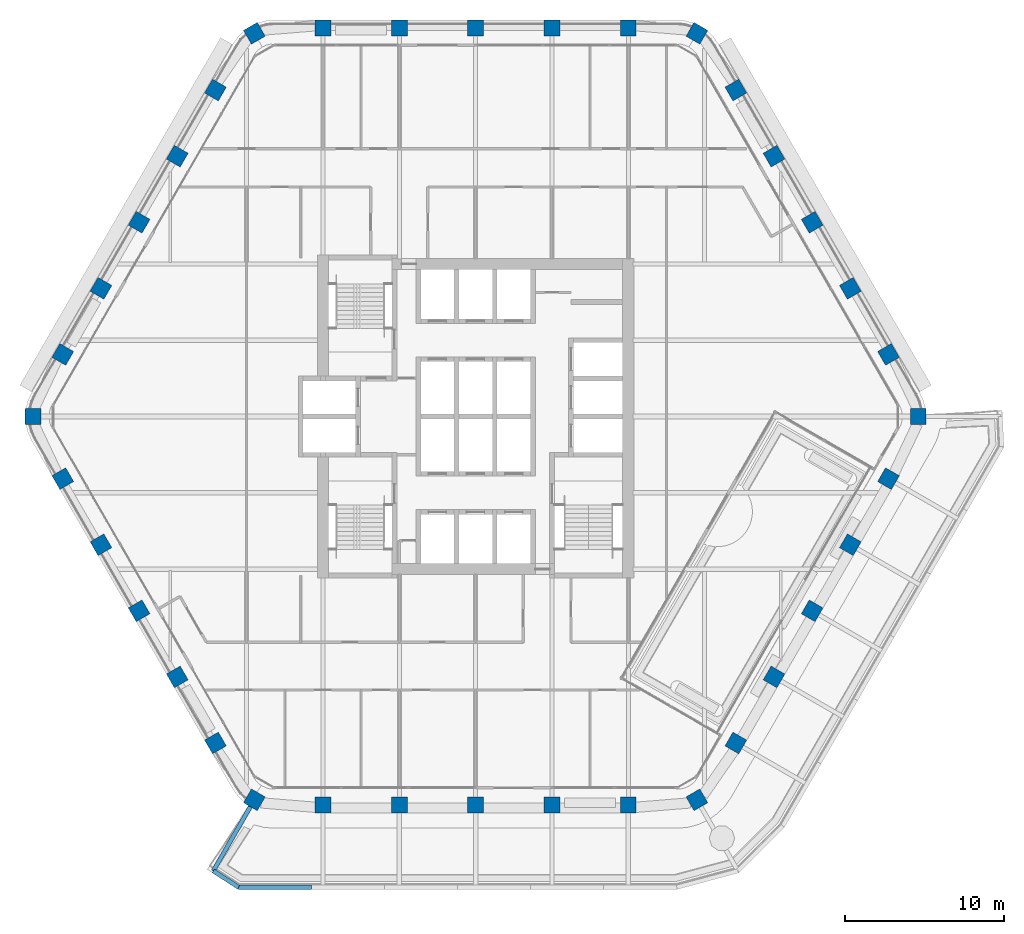
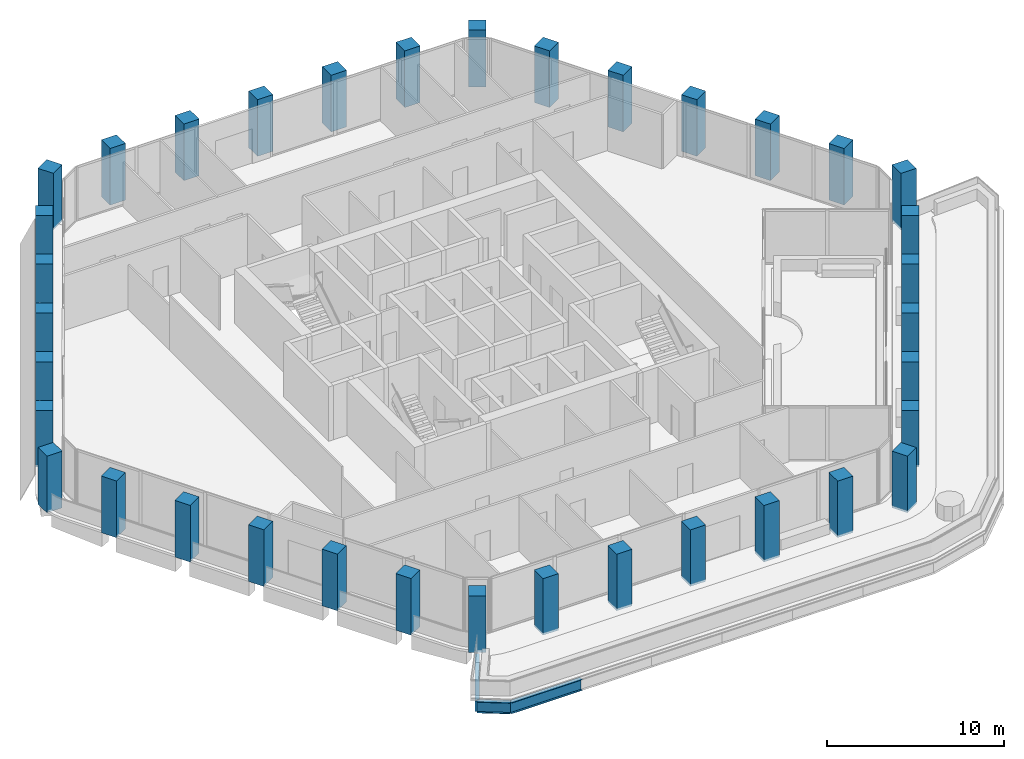
# One storey, part 1 of 17: 36 columns, 3 beams.
"""IFC4 building model written with IfcOpenShell, lengths in metres."""

from ifc_helpers import new_model, si_unit, direction, frame, origin, origin_2d, place, context, subcontext, project, spatial, rectangle, i_section, extrude, material, material_profile, profile_set, type_object, element, save


model = new_model("IFC4")

# Units and contexts
model_context = context("Model", 3, precision=1e-05, world=origin(), true_north=direction((0.0, 1.0)))
body_context = subcontext(model_context, "Body", "Model", "MODEL_VIEW")
ifc_project = project(units=[si_unit("LENGTHUNIT", "METRE"), si_unit("AREAUNIT", "SQUARE_METRE"), si_unit("VOLUMEUNIT", "CUBIC_METRE"), si_unit("PLANEANGLEUNIT", "RADIAN"), si_unit("MASSUNIT", "GRAM", prefix="KILO")], contexts=[model_context])

# Site, building, storey
site_placement = place(None, origin())
site = spatial("IfcSite", under=ifc_project, at=site_placement, CompositionType="ELEMENT")
building_placement = place(site_placement, origin())
building = spatial("IfcBuilding", under=site, at=building_placement, Name="Kolab Exchange Tower", CompositionType="ELEMENT")
storey_placement = place(building_placement, frame((0.0, 0.0, 197.300048828125)))
storey = spatial("IfcBuildingStorey", under=building, at=storey_placement, Name="L42", CompositionType="ELEMENT", Elevation=197.300048828125)

# Columns
ifc_material_1 = material(Name="Concrete C60/75", Category="concrete")
ifc_material_profile_1 = material_profile(ifc_material_1, rectangle(XDim=1.0, YDim=1.0, at=origin_2d()), Name="RC1000")
ifc_profile_set_1 = profile_set([ifc_material_profile_1], Name="Concrete C60/75")
column_type = type_object("IfcColumnType", Name="PERIMETER COLUMN 1000 SQ C60/75", PredefinedType="COLUMN", material=ifc_profile_set_1)
for number, where, z_axis, x_axis, name in (
    (1, (-13.91796875, 24.106689453125, -0.150146484375), (0.0, 0.0, 1.0), (0.866025403784, 0.5, 0.0), "col/L42/F1-01"),
    (2, (-9.60009765625, 24.441650390625, -0.150146484375), (0.0, 0.0, 1.0), (1.0, 0.0, 0.0), "col/L42/F1-02"),
    (3, (-4.800048828125, 24.441650390625, -0.150146484375), (0.0, 0.0, 1.0), (1.0, 0.0, 0.0), "col/L42/F1-03"),
    (4, (0.0, 24.441650390625, -0.150146484375), (0.0, 0.0, 1.0), (1.0, 0.0, 0.0), "col/L42/F1-04"),
    (5, (4.800048828125, 24.441650390625, -0.150146484375), (0.0, 0.0, 1.0), (1.0, 0.0, 0.0), "col/L42/F1-05"),
    (6, (9.60009765625, 24.441650390625, -0.150146484375), (0.0, 0.0, 1.0), (1.0, 0.0, 0.0), "col/L42/F1-06"),
    (7, (13.91796875, 24.106689453125, -0.150146484375), (0.0, 0.0, 1.0), (0.5, 0.866025403784, 0.0), "col/L42/F2-01"),
    (8, (16.366943359375, 20.53466796875, -0.150146484375), (0.0, 0.0, 1.0), (0.866025403784, 0.5, 0.0), "col/L42/F2-02"),
    (9, (18.76708984375, 16.377685546875, -0.150146484375), (0.0, 0.0, 1.0), (0.866025403784, 0.5, 0.0), "col/L42/F2-03"),
    (10, (21.1669921875, 12.220703125, -0.150146484375), (0.0, 0.0, 1.0), (0.866025403784, 0.5, 0.0), "col/L42/F2-04"),
    (11, (23.56689453125, 8.06396484375, -0.150146484375), (0.0, 0.0, 1.0), (0.866025403784, 0.5, 0.0), "col/L42/F2-05"),
    (12, (25.967041015625, 3.906982421875, -0.150146484375), (0.0, 0.0, 1.0), (0.866025403784, 0.5, 0.0), "col/L42/F2-06"),
    (13, (27.8359375, 0.0, -0.150146484375), (0.0, 0.0, 1.0), (1.0, 0.0, 0.0), "col/L42/F3-01"),
    (14, (25.967041015625, -3.906982421875, -0.150146484375), (0.0, 0.0, 1.0), (0.5, 0.866025403784, 0.0), "col/L42/F3-02"),
    (15, (23.56689453125, -8.06396484375, -0.150146484375), (0.0, 0.0, 1.0), (0.5, 0.866025403784, 0.0), "col/L42/F3-03"),
    (16, (21.1669921875, -12.220703125, -0.150146484375), (0.0, 0.0, 1.0), (0.5, 0.866025403784, 0.0), "col/L42/F3-04"),
    (17, (18.76708984375, -16.377685546875, -0.150146484375), (0.0, 0.0, 1.0), (0.5, 0.866025403784, 0.0), "col/L42/F3-05"),
    (18, (16.366943359375, -20.53466796875, -0.150146484375), (0.0, 0.0, 1.0), (0.5, 0.866025403784, 0.0), "col/L42/F3-06"),
    (19, (13.91796875, -24.106689453125, -0.150146484375), (0.0, 0.0, 1.0), (0.866025403784, 0.5, 0.0), "col/L42/F4-01"),
    (20, (9.60009765625, -24.441650390625, -0.150146484375), (0.0, 0.0, 1.0), (1.0, 0.0, 0.0), "col/L42/F4-02"),
    (21, (4.800048828125, -24.441650390625, -0.150146484375), (0.0, 0.0, 1.0), (1.0, 0.0, 0.0), "col/L42/F4-03"),
    (22, (0.0, -24.441650390625, -0.150146484375), (0.0, 0.0, 1.0), (1.0, 0.0, 0.0), "col/L42/F4-04"),
    (23, (-4.800048828125, -24.441650390625, -0.150146484375), (0.0, 0.0, 1.0), (1.0, 0.0, 0.0), "col/L42/F4-05"),
    (24, (-9.60009765625, -24.441650390625, -0.150146484375), (0.0, 0.0, 1.0), (1.0, 0.0, 0.0), "col/L42/F4-06"),
    (25, (-13.91796875, -24.106689453125, -0.150146484375), (0.0, 0.0, 1.0), (0.5, 0.866025403784, 0.0), "col/L42/F5-01"),
    (26, (-16.366943359375, -20.53466796875, -0.150146484375), (0.0, 0.0, 1.0), (0.866025403784, 0.5, 0.0), "col/L42/F5-02"),
    (27, (-18.76708984375, -16.377685546875, -0.150146484375), (0.0, 0.0, 1.0), (0.866025403784, 0.5, 0.0), "col/L42/F5-03"),
    (28, (-21.1669921875, -12.220703125, -0.150146484375), (0.0, 0.0, 1.0), (0.866025403784, 0.5, 0.0), "col/L42/F5-04"),
    (29, (-23.56689453125, -8.06396484375, -0.150146484375), (0.0, 0.0, 1.0), (0.866025403784, 0.5, 0.0), "col/L42/F5-05"),
    (30, (-25.967041015625, -3.906982421875, -0.150146484375), (0.0, 0.0, 1.0), (0.866025403784, 0.5, 0.0), "col/L42/F5-06"),
    (31, (-27.8359375, 0.0, -0.150146484375), (0.0, 0.0, 1.0), (1.0, 0.0, 0.0), "col/L42/F6-01"),
    (32, (-25.967041015625, 3.906982421875, -0.150146484375), (0.0, 0.0, 1.0), (0.5, 0.866025403784, 0.0), "col/L42/F6-02"),
    (33, (-23.56689453125, 8.06396484375, -0.150146484375), (0.0, 0.0, 1.0), (0.5, 0.866025403784, 0.0), "col/L42/F6-03"),
    (34, (-21.1669921875, 12.220703125, -0.150146484375), (0.0, 0.0, 1.0), (0.5, 0.866025403784, 0.0), "col/L42/F6-04"),
    (35, (-18.76708984375, 16.377685546875, -0.150146484375), (0.0, 0.0, 1.0), (0.5, 0.866025403784, 0.0), "col/L42/F6-05"),
    (36, (-16.366943359375, 20.53466796875, -0.150146484375), (0.0, 0.0, 1.0), (0.5, 0.866025403784, 0.0), "col/L42/F6-06"),
):
    element("IfcColumn", number, at=place(storey_placement, frame(where, z_axis=z_axis, x_axis=x_axis)), inside=storey, type_object=column_type, Name=name, PredefinedType="COLUMN", context=body_context, shape_type="SweptSolid", body=[
        extrude(rectangle(XDim=1.0, YDim=1.0, at=origin_2d()), origin(), (0.0, 0.0, 1.0), 3.900146484375),
    ])

# Beams
ifc_material_2 = material(Name="Steel S355", Category="steel")
ifc_material_profile_2 = material_profile(ifc_material_2, i_section(OverallWidth=0.26708984375, OverallDepth=0.761962890625, WebThickness=0.014404296875, FlangeThickness=0.021484375, at=origin_2d()), Name="W760X173")
ifc_profile_set_2 = profile_set([ifc_material_profile_2], Name="Steel S355")
beam_type = type_object("IfcBeamType", Name="FLOOR GIRDER W760X173", PredefinedType="BEAM", material=ifc_profile_set_2)
beam_1_placement = place(storey_placement, frame((-14.16796875, -24.53955078125, -0.591064453125), z_axis=(-0.500004747635, -0.866022662719, 0.0), x_axis=(0.866022662719, -0.500004747635, 0.0)))
element("IfcBeam", 37, at=beam_1_placement, inside=storey, type_object=beam_type, Name="beam/L42/ledge/rib-12", PredefinedType="BEAM", context=body_context, shape_type="SweptSolid", body=[
    extrude(i_section(OverallWidth=0.26708984375, OverallDepth=0.761962890625, WebThickness=0.014404296875, FlangeThickness=0.021484375, at=origin_2d()), origin(), (0.0, 0.0, 1.0), 4.66650390625),
])
beam_2_placement = place(storey_placement, frame((-10.318115234375, -29.60791015625, -0.591064453125), z_axis=(-1.0, 0.0, 0.0), x_axis=(0.0, -1.0, 0.0)))
element("IfcBeam", 38, at=beam_2_placement, inside=storey, type_object=beam_type, Name="beam/L42/ledge/edge-14", PredefinedType="BEAM", context=body_context, shape_type="SweptSolid", body=[
    extrude(i_section(OverallWidth=0.26708984375, OverallDepth=0.761962890625, WebThickness=0.014404296875, FlangeThickness=0.021484375, at=origin_2d()), origin(), (0.0, 0.0, 1.0), 4.593505859375),
])
beam_3_placement = place(storey_placement, frame((-14.91162109375, -29.60791015625, -0.591064453125), z_axis=(-0.839981802732, 0.542614569542, 0.0), x_axis=(-0.542614569542, -0.839981802732, 0.0)))
element("IfcBeam", 39, at=beam_3_placement, inside=storey, type_object=beam_type, Name="beam/L42/ledge/edge-15", PredefinedType="BEAM", context=body_context, shape_type="SweptSolid", body=[
    extrude(i_section(OverallWidth=0.26708984375, OverallDepth=0.761962890625, WebThickness=0.014404296875, FlangeThickness=0.021484375, at=origin_2d()), origin(), (0.0, 0.0, 1.0), 1.892333984375),
])

save(model, "model.ifc")
